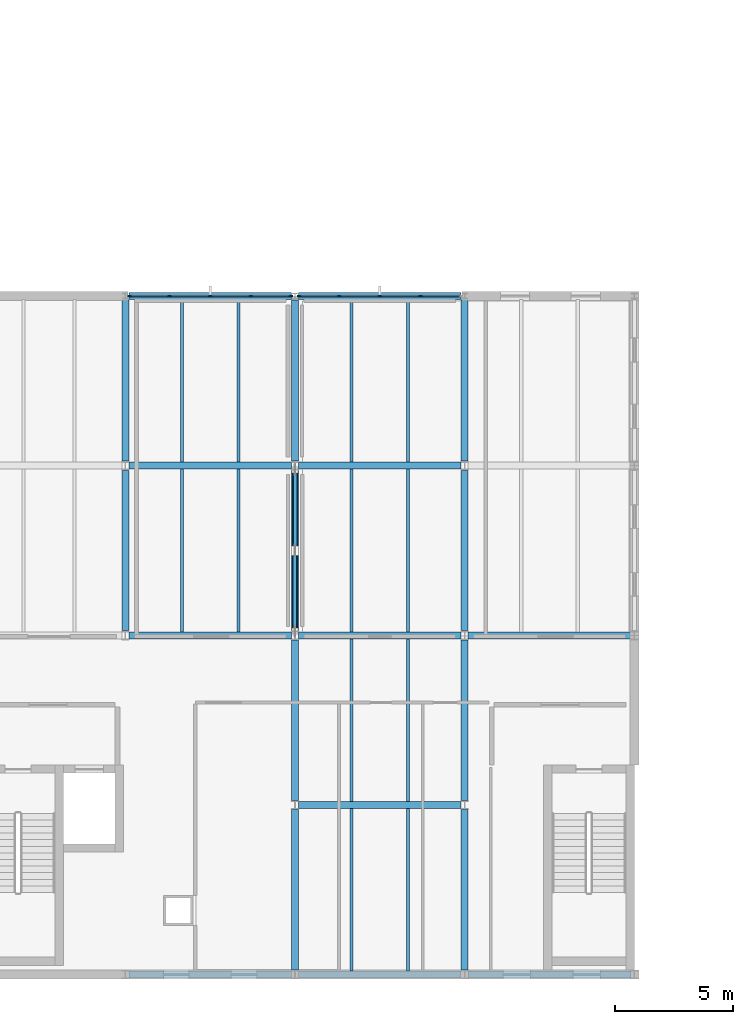
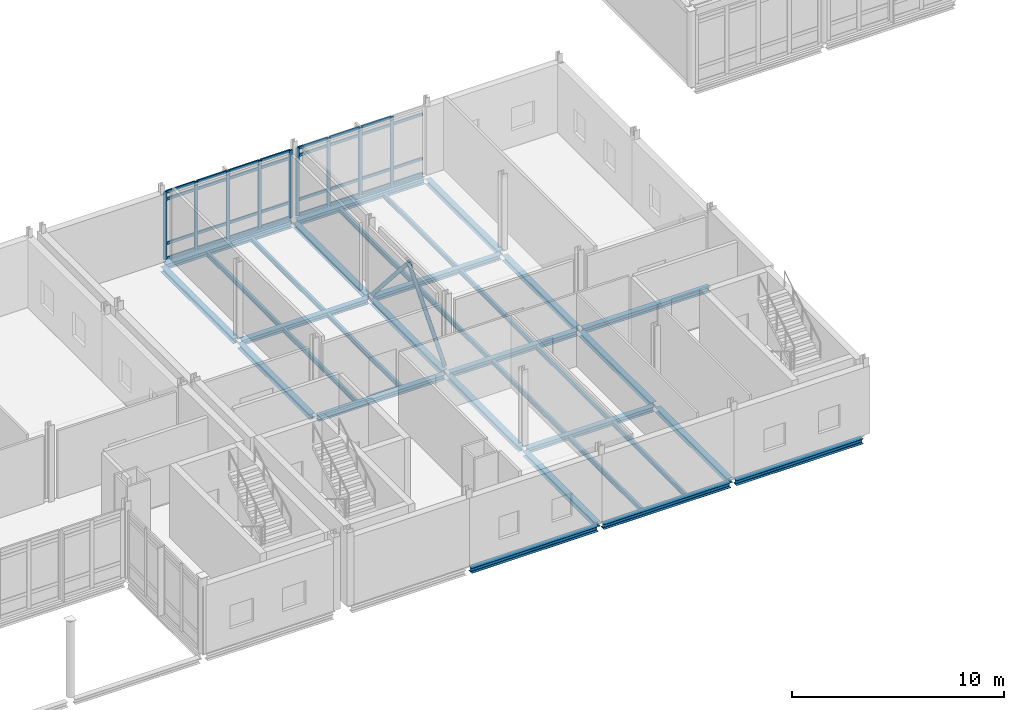
# One storey, part 22 of 72: 42 members, 33 beams, 2 elements without a shape of their own.
"""IFC4 building model written with IfcOpenShell, lengths in metres."""

import ifcopenshell
import ifcopenshell.guid

model = None  # the IFC model being written
_history = None  # IfcOwnerHistory: only IFC2X3 demands one
_inside = {}  # id of a spatial element -> (the spatial element, [elements in it])
_under = {}  # id of a project, library or spatial element -> (it, [spatial elements below it])
_declared = {}  # id of a project -> (the project, [libraries it declares])
_typed = {}  # id of a type object -> (the type object, [elements of that type])
_made_of = {}  # id of a material, layer set ... -> (it, [elements and type objects made of it])


def new_model(schema):
    """Start an empty IFC model of exactly this schema.

    Asked for "IFC4X3", IfcOpenShell would pick the latest addendum, in which some entities
    have other attributes; the version numbers below select the first issue.
    IFC2X3 requires an IfcOwnerHistory on every rooted entity: one is made here for all.
    """
    global model, _history
    if schema == "IFC4X3":
        model = ifcopenshell.file(schema_version=(4, 3, 0, 0))
    else:
        model = ifcopenshell.file(schema=schema)
    _inside.clear()
    _under.clear()
    _declared.clear()
    _typed.clear()
    _made_of.clear()
    _history = None
    if model.schema == "IFC2X3":
        org = make("IfcOrganization", Name="unknown")
        user = make(
            "IfcPersonAndOrganization",
            ThePerson=make("IfcPerson", FamilyName="unknown"),
            TheOrganization=org,
        )
        app = make(
            "IfcApplication",
            ApplicationDeveloper=org,
            Version="unknown",
            ApplicationFullName="unknown",
            ApplicationIdentifier="unknown",
        )
        _history = make(
            "IfcOwnerHistory",
            OwningUser=user,
            OwningApplication=app,
            ChangeAction="ADDED",
            CreationDate=0,
        )
    return model


def make(cls, **values):
    """One entity of the class cls with the attributes given. An attribute that is None is left unset."""
    return model.create_entity(
        cls, **{name: value for name, value in values.items() if value is not None}
    )


def rooted(cls, **values):
    """An entity with a GlobalId (a new one), such as an element, a storey or a relation."""
    return make(cls, GlobalId=ifcopenshell.guid.new(), OwnerHistory=_history, **values)


def si_unit(unit_type, name, prefix=None):
    """IfcSIUnit, for example si_unit("LENGTHUNIT", "METRE", prefix="MILLI")."""
    return make("IfcSIUnit", UnitType=unit_type, Prefix=prefix, Name=name)


def assignment(units):
    """IfcUnitAssignment: the units of a project."""
    return None if units is None else make("IfcUnitAssignment", Units=units)


def point(xyz):
    """IfcCartesianPoint."""
    return None if xyz is None else make("IfcCartesianPoint", Coordinates=xyz)


def direction(xyz):
    """IfcDirection."""
    return None if xyz is None else make("IfcDirection", DirectionRatios=xyz)


def frame(location, z_axis=None, x_axis=None):
    """IfcAxis2Placement3D, a coordinate frame: its origin and axes. An axis left out is left unset."""
    return make(
        "IfcAxis2Placement3D",
        Location=point(location),
        Axis=direction(z_axis),
        RefDirection=direction(x_axis),
    )


def frame_2d(location, x_axis=None):
    """IfcAxis2Placement2D, a coordinate frame in the plane: its origin and x axis."""
    return make(
        "IfcAxis2Placement2D", Location=point(location), RefDirection=direction(x_axis)
    )


def origin():
    """The frame at (0, 0, 0) with its axes left unset."""
    return frame((0.0, 0.0, 0.0))


def origin_2d():
    """The frame at (0, 0) in the plane with its x axis left unset."""
    return frame_2d((0.0, 0.0))


def place(relative_to, where):
    """IfcLocalPlacement: puts the frame where relative to a parent placement (None: the world)."""
    return make(
        "IfcLocalPlacement", PlacementRelTo=relative_to, RelativePlacement=where
    )


def context(
    kind, dimensions, precision=None, world=None, true_north=None, identifier=None
):
    """IfcGeometricRepresentationContext, for example the 3D "Model" context."""
    return make(
        "IfcGeometricRepresentationContext",
        ContextIdentifier=identifier,
        ContextType=kind,
        CoordinateSpaceDimension=dimensions,
        Precision=precision,
        WorldCoordinateSystem=world,
        TrueNorth=true_north,
    )


def subcontext(parent, identifier, kind, view, scale=None):
    """IfcGeometricRepresentationSubContext, for example "Body" below "Model"."""
    return make(
        "IfcGeometricRepresentationSubContext",
        ContextIdentifier=identifier,
        ContextType=kind,
        ParentContext=parent,
        TargetScale=scale,
        TargetView=view,
    )


def project(units=None, contexts=None):
    """IfcProject with its units and contexts."""
    return rooted(
        "IfcProject",
        Name="project",
        RepresentationContexts=contexts,
        UnitsInContext=assignment(units),
    )


def spatial(cls, under=None, at=None, **own):
    """A site, building, storey or space (cls), placed at a placement, below another one or the project."""
    s = rooted(cls, ObjectPlacement=at, **own)
    if under is not None:
        _under.setdefault(under.id(), (under, []))[1].append(s)
    return s


def profile(cls, at=None, kind="AREA", **sizes):
    """A parametric profile (cls). Its sizes go by their IFC names, for example OverallWidth=200.0."""
    return make(cls, ProfileType=kind, Position=at, **sizes)


def rectangle(**sizes):
    """IfcRectangleProfileDef."""
    return profile("IfcRectangleProfileDef", **sizes)


def hollow_circle(**sizes):
    """IfcCircleHollowProfileDef."""
    return profile("IfcCircleHollowProfileDef", **sizes)


def i_section(**sizes):
    """IfcIShapeProfileDef."""
    return profile("IfcIShapeProfileDef", **sizes)


def extrude(swept, where, along, depth):
    """IfcExtrudedAreaSolid: the profile swept, set in the frame where, extruded along a direction by depth."""
    return make(
        "IfcExtrudedAreaSolid",
        SweptArea=swept,
        Position=where,
        ExtrudedDirection=direction(along),
        Depth=depth,
    )


def shape(context_of_items, identifier, shape_type, items):
    """IfcShapeRepresentation: the items that make up one representation, for example the "Body"."""
    return make(
        "IfcShapeRepresentation",
        ContextOfItems=context_of_items,
        RepresentationIdentifier=identifier,
        RepresentationType=shape_type,
        Items=items,
    )


def material(Name=None, Category=None):
    """IfcMaterial."""
    return make("IfcMaterial", Name=Name, Category=Category)


def layer(
    of_material, thickness, ventilated=None, Name=None, Category=None, Priority=None
):
    """IfcMaterialLayer: one layer of a wall or slab, of a material (None: an air gap)."""
    return make(
        "IfcMaterialLayer",
        Material=of_material,
        LayerThickness=thickness,
        IsVentilated=ventilated,
        Name=Name,
        Category=Category,
        Priority=Priority,
    )


def layer_set(layers, Name=None):
    """IfcMaterialLayerSet."""
    return make("IfcMaterialLayerSet", MaterialLayers=layers, LayerSetName=Name)


def material_profile(
    of_material, cross_section, Name=None, Category=None, Priority=None
):
    """IfcMaterialProfile: a cross section and its material."""
    return make(
        "IfcMaterialProfile",
        Name=Name,
        Material=of_material,
        Profile=cross_section,
        Priority=Priority,
        Category=Category,
    )


def profile_set(profiles, Name=None, composite=None):
    """IfcMaterialProfileSet."""
    return make(
        "IfcMaterialProfileSet",
        Name=Name,
        MaterialProfiles=profiles,
        CompositeProfile=composite,
    )


def made_of(thing, what):
    """Note that an element or type object is made of a material, layer set ...; save() writes the relation."""
    if what is not None:
        _made_of.setdefault(what.id(), (what, []))[1].append(thing)
    return thing


def type_object(cls, material=None, **own):
    """A type object (cls), such as IfcWallType, which elements share."""
    return made_of(rooted(cls, **own), material)


def element(
    cls,
    number,
    at=None,
    inside=None,
    cuts=None,
    type_object=None,
    material=None,
    context=None,
    identifier="Body",
    shape_type=None,
    held_by="IfcProductDefinitionShape",
    body=None,
    shapes=None,
    **own,
):
    """One element of the class cls, such as IfcWall. Its Tag is "e" and its number.

    at: its placement. inside: the storey or other place that contains it. cuts: it is an
    opening in that element (IfcRelVoidsElement). A single representation is given by context,
    identifier, shape_type and body (its items); several are given by shapes. held_by: the class
    of the entity that holds the representations. save() writes the other relations.
    """
    e = rooted(cls, Tag="e%d" % number, ObjectPlacement=at, **own)
    if body is not None:
        shapes = [shape(context, identifier, shape_type, body)]
    if shapes is not None:
        e.Representation = make(held_by, Representations=shapes)
    if inside is not None:
        _inside.setdefault(inside.id(), (inside, []))[1].append(e)
    if cuts is not None:
        rooted(
            "IfcRelVoidsElement", RelatingBuildingElement=cuts, RelatedOpeningElement=e
        )
    if type_object is not None:
        _typed.setdefault(type_object.id(), (type_object, []))[1].append(e)
    return made_of(e, material)


def aggregate(whole, parts):
    """IfcRelAggregates: a whole, such as a stair, and the parts it consists of."""
    return rooted("IfcRelAggregates", RelatingObject=whole, RelatedObjects=parts)


def save(model, path):
    """Write the relations noted so far, then the file.

    IfcRelAggregates (storeys below a building ...), IfcRelContainedInSpatialStructure (elements
    in a storey), IfcRelDefinesByType, IfcRelAssociatesMaterial and IfcRelDeclares: one each for
    every whole, place, type object, material and project.
    """
    for whole, parts in _under.values():
        aggregate(whole, parts)
    for where, things in _inside.values():
        rooted(
            "IfcRelContainedInSpatialStructure",
            RelatedElements=things,
            RelatingStructure=where,
        )
    for kind, things in _typed.values():
        rooted("IfcRelDefinesByType", RelatedObjects=things, RelatingType=kind)
    for what, things in _made_of.values():
        rooted("IfcRelAssociatesMaterial", RelatedObjects=things, RelatingMaterial=what)
    for by, libraries in _declared.values():
        rooted("IfcRelDeclares", RelatingContext=by, RelatedDefinitions=libraries)
    model.write(path)


model = new_model("IFC4")

# Units and contexts
model_context = context("Model", 3, precision=1e-05, world=origin(), true_north=direction((0.0, 1.0)))
body_context = subcontext(model_context, "Body", "Model", "MODEL_VIEW")
ifc_project = project(units=[si_unit("LENGTHUNIT", "METRE"), si_unit("AREAUNIT", "SQUARE_METRE"), si_unit("VOLUMEUNIT", "CUBIC_METRE"), si_unit("PLANEANGLEUNIT", "RADIAN"), si_unit("MASSUNIT", "GRAM", prefix="KILO")], contexts=[model_context])

# Site, building, storey
site_placement = place(None, origin())
site = spatial("IfcSite", under=ifc_project, at=site_placement, CompositionType="ELEMENT")
building_placement = place(site_placement, origin())
building = spatial("IfcBuilding", under=site, at=building_placement, Name="Zarrinpeak Specialist Clinic", CompositionType="ELEMENT")
storey_placement = place(building_placement, frame((0.0, 0.0, 9.60009765625)))
storey = spatial("IfcBuildingStorey", under=building, at=storey_placement, Name="L02", CompositionType="ELEMENT", Elevation=9.60009765625)

# Beams
ifc_material_1 = material(Name="Steel S355", Category="steel")
ifc_material_profile_1 = material_profile(ifc_material_1, i_section(OverallWidth=0.300048828125, OverallDepth=0.2900390625, WebThickness=0.008544921875, FlangeThickness=0.013916015625, FilletRadius=0.027099609375, at=origin_2d()), Name="HEA 300")
ifc_profile_set_1 = profile_set([ifc_material_profile_1], Name="Steel S355")
beam_type_1 = type_object("IfcBeamType", Name="BM-HEA300", PredefinedType="BEAM", material=ifc_profile_set_1)
for number, where, z_axis, x_axis, name in (
    (1, (64.947998046875, 0.0, -0.360107421875), (1.0, 0.0, 0.0), (0.0, 1.0, 0.0), "L02 Primary Floor Girder BM-L02-X1117"),
    (2, (72.14794921875, 0.0, -0.360107421875), (1.0, 0.0, 0.0), (0.0, 1.0, 0.0), "L02 Primary Floor Girder BM-L02-X1118"),
    (3, (79.347900390625, 0.0, -0.360107421875), (1.0, 0.0, 0.0), (0.0, 1.0, 0.0), "L02 Primary Floor Girder BM-L02-X1119"),
    (4, (72.14794921875, 7.199951171875, -0.360107421875), (1.0, 0.0, 0.0), (0.0, 1.0, 0.0), "L02 Primary Floor Girder BM-L02-X1124"),
    (5, (64.947998046875, 14.39990234375, -0.360107421875), (1.0, 0.0, 0.0), (0.0, 1.0, 0.0), "L02 Primary Floor Girder BM-L02-X1132"),
    (6, (72.14794921875, 14.39990234375, -0.360107421875), (1.0, 0.0, 0.0), (0.0, 1.0, 0.0), "L02 Primary Floor Girder BM-L02-X1133"),
    (7, (79.347900390625, 14.39990234375, -0.360107421875), (1.0, 0.0, 0.0), (0.0, 1.0, 0.0), "L02 Primary Floor Girder BM-L02-X1134"),
    (8, (64.947998046875, 21.60009765625, -0.360107421875), (1.0, 0.0, 0.0), (0.0, 1.0, 0.0), "L02 Primary Floor Girder BM-L02-X1144"),
    (9, (72.14794921875, 21.60009765625, -0.360107421875), (1.0, 0.0, 0.0), (0.0, 1.0, 0.0), "L02 Primary Floor Girder BM-L02-X1145"),
    (10, (64.947998046875, 28.800048828125, -0.360107421875), (1.0, 0.0, 0.0), (0.0, 1.0, 0.0), "L02 Primary Floor Girder BM-L02-X1156"),
    (11, (72.14794921875, 28.800048828125, -0.360107421875), (1.0, 0.0, 0.0), (0.0, 1.0, 0.0), "L02 Primary Floor Girder BM-L02-X1157"),
):
    element("IfcBeam", number, at=place(storey_placement, frame(where, z_axis=z_axis, x_axis=x_axis)), inside=storey, type_object=beam_type_1, Name=name, PredefinedType="BEAM", context=body_context, shape_type="SweptSolid", body=[
        extrude(i_section(OverallWidth=0.300048828125, OverallDepth=0.2900390625, WebThickness=0.008544921875, FlangeThickness=0.013916015625, FilletRadius=0.027099609375, at=origin_2d()), origin(), (0.0, 0.0, 1.0), 6.904052734375),
    ])
beam_1_placement = place(storey_placement, frame((64.800048828125, 14.597900390625, -0.360107421875), z_axis=(0.0, 1.0, 0.0), x_axis=(-1.0, 0.0, 0.0)))
element("IfcBeam", 12, at=beam_1_placement, inside=storey, type_object=beam_type_1, Name="L02 Primary Beam BM-L02-Y1308", PredefinedType="BEAM", context=body_context, shape_type="SweptSolid", body=[
    extrude(i_section(OverallWidth=0.300048828125, OverallDepth=0.2900390625, WebThickness=0.008544921875, FlangeThickness=0.013916015625, FilletRadius=0.027099609375, at=origin_2d()), origin(), (0.0, 0.0, 1.0), 6.80419921875),
])
beam_2_placement = place(storey_placement, frame((64.800048828125, 21.798095703125, -0.360107421875), z_axis=(0.0, 1.0, 0.0), x_axis=(-1.0, 0.0, 0.0)))
element("IfcBeam", 13, at=beam_2_placement, inside=storey, type_object=beam_type_1, Name="L02 Primary Beam BM-L02-Y1309", PredefinedType="BEAM", context=body_context, shape_type="SweptSolid", body=[
    extrude(i_section(OverallWidth=0.300048828125, OverallDepth=0.2900390625, WebThickness=0.008544921875, FlangeThickness=0.013916015625, FilletRadius=0.027099609375, at=origin_2d()), origin(), (0.0, 0.0, 1.0), 6.843994140625),
])
for number, where, z_axis, x_axis, name in (
    (14, (72.0, 0.197998046875, -0.360107421875), (0.0, 1.0, 0.0), (-1.0, 0.0, 0.0), "L02 Primary Beam BM-L02-Y1313"),
    (15, (72.0, 7.39794921875, -0.360107421875), (0.0, 1.0, 0.0), (-1.0, 0.0, 0.0), "L02 Primary Beam BM-L02-Y1314"),
):
    element("IfcBeam", number, at=place(storey_placement, frame(where, z_axis=z_axis, x_axis=x_axis)), inside=storey, type_object=beam_type_1, Name=name, PredefinedType="BEAM", context=body_context, shape_type="SweptSolid", body=[
        extrude(i_section(OverallWidth=0.300048828125, OverallDepth=0.2900390625, WebThickness=0.008544921875, FlangeThickness=0.013916015625, FilletRadius=0.027099609375, at=origin_2d()), origin(), (0.0, 0.0, 1.0), 6.803955078125),
    ])
beam_3_placement = place(storey_placement, frame((72.0, 14.597900390625, -0.360107421875), z_axis=(0.0, 1.0, 0.0), x_axis=(-1.0, 0.0, 0.0)))
element("IfcBeam", 16, at=beam_3_placement, inside=storey, type_object=beam_type_1, Name="L02 Primary Beam BM-L02-Y1315", PredefinedType="BEAM", context=body_context, shape_type="SweptSolid", body=[
    extrude(i_section(OverallWidth=0.300048828125, OverallDepth=0.2900390625, WebThickness=0.008544921875, FlangeThickness=0.013916015625, FilletRadius=0.027099609375, at=origin_2d()), origin(), (0.0, 0.0, 1.0), 6.80419921875),
])
beam_4_placement = place(storey_placement, frame((72.0, 21.798095703125, -0.360107421875), z_axis=(0.0, 1.0, 0.0), x_axis=(-1.0, 0.0, 0.0)))
element("IfcBeam", 17, at=beam_4_placement, inside=storey, type_object=beam_type_1, Name="L02 Primary Beam BM-L02-Y1316", PredefinedType="BEAM", context=body_context, shape_type="SweptSolid", body=[
    extrude(i_section(OverallWidth=0.300048828125, OverallDepth=0.2900390625, WebThickness=0.008544921875, FlangeThickness=0.013916015625, FilletRadius=0.027099609375, at=origin_2d()), origin(), (0.0, 0.0, 1.0), 6.843994140625),
])
for number, where, z_axis, x_axis, name in (
    (18, (79.199951171875, 0.197998046875, -0.360107421875), (0.0, 1.0, 0.0), (-1.0, 0.0, 0.0), "L02 Primary Beam BM-L02-Y1317"),
    (19, (79.199951171875, 7.39794921875, -0.360107421875), (0.0, 1.0, 0.0), (-1.0, 0.0, 0.0), "L02 Primary Beam BM-L02-Y1318"),
):
    element("IfcBeam", number, at=place(storey_placement, frame(where, z_axis=z_axis, x_axis=x_axis)), inside=storey, type_object=beam_type_1, Name=name, PredefinedType="BEAM", context=body_context, shape_type="SweptSolid", body=[
        extrude(i_section(OverallWidth=0.300048828125, OverallDepth=0.2900390625, WebThickness=0.008544921875, FlangeThickness=0.013916015625, FilletRadius=0.027099609375, at=origin_2d()), origin(), (0.0, 0.0, 1.0), 6.803955078125),
    ])
beam_5_placement = place(storey_placement, frame((79.199951171875, 14.597900390625, -0.360107421875), z_axis=(0.0, 1.0, 0.0), x_axis=(-1.0, 0.0, 0.0)))
element("IfcBeam", 20, at=beam_5_placement, inside=storey, type_object=beam_type_1, Name="L02 Primary Beam BM-L02-Y1319", PredefinedType="BEAM", context=body_context, shape_type="SweptSolid", body=[
    extrude(i_section(OverallWidth=0.300048828125, OverallDepth=0.2900390625, WebThickness=0.008544921875, FlangeThickness=0.013916015625, FilletRadius=0.027099609375, at=origin_2d()), origin(), (0.0, 0.0, 1.0), 6.80419921875),
])
beam_6_placement = place(storey_placement, frame((79.199951171875, 21.798095703125, -0.360107421875), z_axis=(0.0, 1.0, 0.0), x_axis=(-1.0, 0.0, 0.0)))
element("IfcBeam", 21, at=beam_6_placement, inside=storey, type_object=beam_type_1, Name="L02 Primary Beam BM-L02-Y1320", PredefinedType="BEAM", context=body_context, shape_type="SweptSolid", body=[
    extrude(i_section(OverallWidth=0.300048828125, OverallDepth=0.2900390625, WebThickness=0.008544921875, FlangeThickness=0.013916015625, FilletRadius=0.027099609375, at=origin_2d()), origin(), (0.0, 0.0, 1.0), 6.843994140625),
])
ifc_material_profile_2 = material_profile(ifc_material_1, i_section(OverallWidth=0.135009765625, OverallDepth=0.27001953125, WebThickness=0.006591796875, FlangeThickness=0.01025390625, FilletRadius=0.014892578125, at=origin_2d()), Name="IPE 270")
ifc_profile_set_2 = profile_set([ifc_material_profile_2], Name="Steel S355")
beam_type_2 = type_object("IfcBeamType", Name="BM-JST270", PredefinedType="JOIST", material=ifc_profile_set_2)
for number, where, z_axis, x_axis, name in (
    (22, (67.199951171875, 14.548095703125, -0.35009765625), (0.0, 1.0, 0.0), (-1.0, 0.0, 0.0), "L02 Composite Floor Joist JST-L02-1399"),
    (23, (69.60009765625, 14.548095703125, -0.35009765625), (0.0, 1.0, 0.0), (-1.0, 0.0, 0.0), "L02 Composite Floor Joist JST-L02-1400"),
):
    element("IfcBeam", number, at=place(storey_placement, frame(where, z_axis=z_axis, x_axis=x_axis)), inside=storey, type_object=beam_type_2, Name=name, PredefinedType="JOIST", context=body_context, shape_type="SweptSolid", body=[
        extrude(i_section(OverallWidth=0.135009765625, OverallDepth=0.27001953125, WebThickness=0.006591796875, FlangeThickness=0.01025390625, FilletRadius=0.014892578125, at=origin_2d()), origin(), (0.0, 0.0, 1.0), 6.90380859375),
    ])
for number, where, z_axis, x_axis, name in (
    (24, (67.199951171875, 21.748046875, -0.35009765625), (0.0, 1.0, 0.0), (-1.0, 0.0, 0.0), "L02 Composite Floor Joist JST-L02-1401"),
    (25, (69.60009765625, 21.748046875, -0.35009765625), (0.0, 1.0, 0.0), (-1.0, 0.0, 0.0), "L02 Composite Floor Joist JST-L02-1402"),
    (26, (74.39990234375, 0.14794921875, -0.35009765625), (0.0, 1.0, 0.0), (-1.0, 0.0, 0.0), "L02 Composite Floor Joist JST-L02-1403"),
    (27, (76.800048828125, 0.14794921875, -0.35009765625), (0.0, 1.0, 0.0), (-1.0, 0.0, 0.0), "L02 Composite Floor Joist JST-L02-1404"),
    (28, (74.39990234375, 7.347900390625, -0.35009765625), (0.0, 1.0, 0.0), (-1.0, 0.0, 0.0), "L02 Composite Floor Joist JST-L02-1405"),
    (29, (76.800048828125, 7.347900390625, -0.35009765625), (0.0, 1.0, 0.0), (-1.0, 0.0, 0.0), "L02 Composite Floor Joist JST-L02-1406"),
):
    element("IfcBeam", number, at=place(storey_placement, frame(where, z_axis=z_axis, x_axis=x_axis)), inside=storey, type_object=beam_type_2, Name=name, PredefinedType="JOIST", context=body_context, shape_type="SweptSolid", body=[
        extrude(i_section(OverallWidth=0.135009765625, OverallDepth=0.27001953125, WebThickness=0.006591796875, FlangeThickness=0.01025390625, FilletRadius=0.014892578125, at=origin_2d()), origin(), (0.0, 0.0, 1.0), 6.904052734375),
    ])
for number, where, z_axis, x_axis, name in (
    (30, (74.39990234375, 14.548095703125, -0.35009765625), (0.0, 1.0, 0.0), (-1.0, 0.0, 0.0), "L02 Composite Floor Joist JST-L02-1407"),
    (31, (76.800048828125, 14.548095703125, -0.35009765625), (0.0, 1.0, 0.0), (-1.0, 0.0, 0.0), "L02 Composite Floor Joist JST-L02-1408"),
):
    element("IfcBeam", number, at=place(storey_placement, frame(where, z_axis=z_axis, x_axis=x_axis)), inside=storey, type_object=beam_type_2, Name=name, PredefinedType="JOIST", context=body_context, shape_type="SweptSolid", body=[
        extrude(i_section(OverallWidth=0.135009765625, OverallDepth=0.27001953125, WebThickness=0.006591796875, FlangeThickness=0.01025390625, FilletRadius=0.014892578125, at=origin_2d()), origin(), (0.0, 0.0, 1.0), 6.90380859375),
    ])
for number, where, z_axis, x_axis, name in (
    (32, (74.39990234375, 21.748046875, -0.35009765625), (0.0, 1.0, 0.0), (-1.0, 0.0, 0.0), "L02 Composite Floor Joist JST-L02-1409"),
    (33, (76.800048828125, 21.748046875, -0.35009765625), (0.0, 1.0, 0.0), (-1.0, 0.0, 0.0), "L02 Composite Floor Joist JST-L02-1410"),
):
    element("IfcBeam", number, at=place(storey_placement, frame(where, z_axis=z_axis, x_axis=x_axis)), inside=storey, type_object=beam_type_2, Name=name, PredefinedType="JOIST", context=body_context, shape_type="SweptSolid", body=[
        extrude(i_section(OverallWidth=0.135009765625, OverallDepth=0.27001953125, WebThickness=0.006591796875, FlangeThickness=0.01025390625, FilletRadius=0.014892578125, at=origin_2d()), origin(), (0.0, 0.0, 1.0), 6.904052734375),
    ])

# Curtain wall, members
ifc_material_2 = material(Name="Anodised Aluminium Alloy 6063-T6", Category="aluminium")
ifc_layer = layer(ifc_material_2, 0.179931640625)
ifc_layer_set = layer_set([ifc_layer], Name="Anodised Aluminium Alloy 6063-T6")
curtain_wall_type = type_object("IfcCurtainWallType", Name="CW-COURT", PredefinedType="NOTDEFINED", material=ifc_layer_set)
curtain_wall_1_placement = place(storey_placement, origin())
curtain_wall_1 = element("IfcCurtainWall", 34, at=curtain_wall_1_placement, inside=storey, type_object=curtain_wall_type, Name="L02 V4 Unitised Curtain Wall CW-L02-V4-073", PredefinedType="NOTDEFINED")
ifc_material_profile_3 = material_profile(ifc_material_2, rectangle(XDim=0.074951171875, YDim=0.179931640625, at=origin_2d()), Name="ALU 75x180")
ifc_profile_set_3 = profile_set([ifc_material_profile_3], Name="Anodised Aluminium Alloy 6063-T6")
member_type_1 = type_object("IfcMemberType", Name="CWM-75", PredefinedType="MULLION", material=ifc_profile_set_3)
member_1_placement = place(storey_placement, frame((71.8173828125, 28.800048828125, 0.0), z_axis=(0.0, 0.0, 1.0), x_axis=(0.0, -1.0, 0.0)))
member_1 = element("IfcMember", 35, at=member_1_placement, type_object=member_type_1, Name="CW-01 mullion 1", PredefinedType="MULLION", context=body_context, shape_type="SweptSolid", body=[
    extrude(rectangle(XDim=0.074951171875, YDim=0.179931640625, at=origin_2d()), origin(), (0.0, 0.0, 1.0), 3.89990234375),
])
member_2_placement = place(storey_placement, frame((70.12744140625, 28.800048828125, 0.0), z_axis=(0.0, 0.0, 1.0), x_axis=(0.0, -1.0, 0.0)))
member_2 = element("IfcMember", 36, at=member_2_placement, type_object=member_type_1, Name="CW-01 mullion 2", PredefinedType="MULLION", context=body_context, shape_type="SweptSolid", body=[
    extrude(rectangle(XDim=0.074951171875, YDim=0.179931640625, at=origin_2d()), origin(), (0.0, 0.0, 1.0), 3.89990234375),
])
member_3_placement = place(storey_placement, frame((68.39990234375, 28.800048828125, 0.0), z_axis=(0.0, 0.0, 1.0), x_axis=(0.0, -1.0, 0.0)))
member_3 = element("IfcMember", 37, at=member_3_placement, type_object=member_type_1, Name="CW-01 mullion 3", PredefinedType="MULLION", context=body_context, shape_type="SweptSolid", body=[
    extrude(rectangle(XDim=0.074951171875, YDim=0.179931640625, at=origin_2d()), origin(), (0.0, 0.0, 1.0), 3.89990234375),
])
member_4_placement = place(storey_placement, frame((66.672607421875, 28.800048828125, 0.0), z_axis=(0.0, 0.0, 1.0), x_axis=(0.0, -1.0, 0.0)))
member_4 = element("IfcMember", 38, at=member_4_placement, type_object=member_type_1, Name="CW-01 mullion 4", PredefinedType="MULLION", context=body_context, shape_type="SweptSolid", body=[
    extrude(rectangle(XDim=0.074951171875, YDim=0.179931640625, at=origin_2d()), origin(), (0.0, 0.0, 1.0), 3.89990234375),
])
member_5_placement = place(storey_placement, frame((64.982421875, 28.800048828125, 0.0), z_axis=(0.0, 0.0, 1.0), x_axis=(0.0, -1.0, 0.0)))
member_5 = element("IfcMember", 39, at=member_5_placement, type_object=member_type_1, Name="CW-01 mullion 5", PredefinedType="MULLION", context=body_context, shape_type="SweptSolid", body=[
    extrude(rectangle(XDim=0.074951171875, YDim=0.179931640625, at=origin_2d()), origin(), (0.0, 0.0, 1.0), 3.89990234375),
])

curtain_wall_2_placement = place(storey_placement, origin())
curtain_wall_2 = element("IfcCurtainWall", 40, at=curtain_wall_2_placement, inside=storey, type_object=curtain_wall_type, Name="L02 V4 Unitised Curtain Wall CW-L02-V4-074", PredefinedType="NOTDEFINED")
member_6_placement = place(storey_placement, frame((77.327392578125, 28.800048828125, 0.0), z_axis=(0.0, 0.0, 1.0), x_axis=(0.0, -1.0, 0.0)))
member_6 = element("IfcMember", 41, at=member_6_placement, type_object=member_type_1, Name="CW-01 mullion 2", PredefinedType="MULLION", context=body_context, shape_type="SweptSolid", body=[
    extrude(rectangle(XDim=0.074951171875, YDim=0.179931640625, at=origin_2d()), origin(), (0.0, 0.0, 1.0), 3.89990234375),
])
member_7_placement = place(storey_placement, frame((75.60009765625, 28.800048828125, 0.0), z_axis=(0.0, 0.0, 1.0), x_axis=(0.0, -1.0, 0.0)))
member_7 = element("IfcMember", 42, at=member_7_placement, type_object=member_type_1, Name="CW-01 mullion 3", PredefinedType="MULLION", context=body_context, shape_type="SweptSolid", body=[
    extrude(rectangle(XDim=0.074951171875, YDim=0.179931640625, at=origin_2d()), origin(), (0.0, 0.0, 1.0), 3.89990234375),
])
member_8_placement = place(storey_placement, frame((73.87255859375, 28.800048828125, 0.0), z_axis=(0.0, 0.0, 1.0), x_axis=(0.0, -1.0, 0.0)))
member_8 = element("IfcMember", 43, at=member_8_placement, type_object=member_type_1, Name="CW-01 mullion 4", PredefinedType="MULLION", context=body_context, shape_type="SweptSolid", body=[
    extrude(rectangle(XDim=0.074951171875, YDim=0.179931640625, at=origin_2d()), origin(), (0.0, 0.0, 1.0), 3.89990234375),
])
member_9_placement = place(storey_placement, frame((72.1826171875, 28.800048828125, 0.0), z_axis=(0.0, 0.0, 1.0), x_axis=(0.0, -1.0, 0.0)))
member_9 = element("IfcMember", 44, at=member_9_placement, type_object=member_type_1, Name="CW-01 mullion 5", PredefinedType="MULLION", context=body_context, shape_type="SweptSolid", body=[
    extrude(rectangle(XDim=0.074951171875, YDim=0.179931640625, at=origin_2d()), origin(), (0.0, 0.0, 1.0), 3.89990234375),
])

# Member
ifc_material_profile_4 = material_profile(ifc_material_2, rectangle(XDim=0.074951171875, YDim=0.159912109375, at=origin_2d()), Name="ALU 75x160")
ifc_profile_set_4 = profile_set([ifc_material_profile_4], Name="Anodised Aluminium Alloy 6063-T6")
member_type_2 = type_object("IfcMemberType", Name="CWT-75", PredefinedType="USERDEFINED", material=ifc_profile_set_4)
member_10_placement = place(storey_placement, frame((71.780029296875, 28.800048828125, 0.037353515625), z_axis=(-1.0, 0.0, 0.0), x_axis=(0.0, -1.0, 0.0)))
member_10 = element("IfcMember", 45, at=member_10_placement, type_object=member_type_2, Name="CW-01 transom 1.1", ObjectType="TRANSOM", PredefinedType="USERDEFINED", context=body_context, shape_type="SweptSolid", body=[
    extrude(rectangle(XDim=0.074951171875, YDim=0.159912109375, at=origin_2d()), origin(), (0.0, 0.0, 1.0), 1.614990234375),
])

member_11_placement = place(storey_placement, frame((71.780029296875, 28.800048828125, 0.89990234375), z_axis=(-1.0, 0.0, 0.0), x_axis=(0.0, -1.0, 0.0)))
member_11 = element("IfcMember", 46, at=member_11_placement, type_object=member_type_2, Name="CW-01 transom 1.2", ObjectType="TRANSOM", PredefinedType="USERDEFINED", context=body_context, shape_type="SweptSolid", body=[
    extrude(rectangle(XDim=0.074951171875, YDim=0.159912109375, at=origin_2d()), origin(), (0.0, 0.0, 1.0), 1.614990234375),
])

member_12_placement = place(storey_placement, frame((71.780029296875, 28.800048828125, 3.449951171875), z_axis=(-1.0, 0.0, 0.0), x_axis=(0.0, -1.0, 0.0)))
member_12 = element("IfcMember", 47, at=member_12_placement, type_object=member_type_2, Name="CW-01 transom 1.3", ObjectType="TRANSOM", PredefinedType="USERDEFINED", context=body_context, shape_type="SweptSolid", body=[
    extrude(rectangle(XDim=0.074951171875, YDim=0.159912109375, at=origin_2d()), origin(), (0.0, 0.0, 1.0), 1.614990234375),
])

member_13_placement = place(storey_placement, frame((71.780029296875, 28.800048828125, 3.8623046875), z_axis=(-1.0, 0.0, 0.0), x_axis=(0.0, -1.0, 0.0)))
member_13 = element("IfcMember", 48, at=member_13_placement, type_object=member_type_2, Name="CW-01 transom 1.4", ObjectType="TRANSOM", PredefinedType="USERDEFINED", context=body_context, shape_type="SweptSolid", body=[
    extrude(rectangle(XDim=0.074951171875, YDim=0.159912109375, at=origin_2d()), origin(), (0.0, 0.0, 1.0), 1.614990234375),
])

member_14_placement = place(storey_placement, frame((70.090087890625, 28.800048828125, 0.037353515625), z_axis=(-1.0, 0.0, 0.0), x_axis=(0.0, -1.0, 0.0)))
member_14 = element("IfcMember", 49, at=member_14_placement, type_object=member_type_2, Name="CW-01 transom 2.1", ObjectType="TRANSOM", PredefinedType="USERDEFINED", context=body_context, shape_type="SweptSolid", body=[
    extrude(rectangle(XDim=0.074951171875, YDim=0.159912109375, at=origin_2d()), origin(), (0.0, 0.0, 1.0), 1.652587890625),
])

member_15_placement = place(storey_placement, frame((70.090087890625, 28.800048828125, 0.89990234375), z_axis=(-1.0, 0.0, 0.0), x_axis=(0.0, -1.0, 0.0)))
member_15 = element("IfcMember", 50, at=member_15_placement, type_object=member_type_2, Name="CW-01 transom 2.2", ObjectType="TRANSOM", PredefinedType="USERDEFINED", context=body_context, shape_type="SweptSolid", body=[
    extrude(rectangle(XDim=0.074951171875, YDim=0.159912109375, at=origin_2d()), origin(), (0.0, 0.0, 1.0), 1.652587890625),
])

member_16_placement = place(storey_placement, frame((70.090087890625, 28.800048828125, 3.449951171875), z_axis=(-1.0, 0.0, 0.0), x_axis=(0.0, -1.0, 0.0)))
member_16 = element("IfcMember", 51, at=member_16_placement, type_object=member_type_2, Name="CW-01 transom 2.3", ObjectType="TRANSOM", PredefinedType="USERDEFINED", context=body_context, shape_type="SweptSolid", body=[
    extrude(rectangle(XDim=0.074951171875, YDim=0.159912109375, at=origin_2d()), origin(), (0.0, 0.0, 1.0), 1.652587890625),
])

member_17_placement = place(storey_placement, frame((70.090087890625, 28.800048828125, 3.8623046875), z_axis=(-1.0, 0.0, 0.0), x_axis=(0.0, -1.0, 0.0)))
member_17 = element("IfcMember", 52, at=member_17_placement, type_object=member_type_2, Name="CW-01 transom 2.4", ObjectType="TRANSOM", PredefinedType="USERDEFINED", context=body_context, shape_type="SweptSolid", body=[
    extrude(rectangle(XDim=0.074951171875, YDim=0.159912109375, at=origin_2d()), origin(), (0.0, 0.0, 1.0), 1.652587890625),
])

member_18_placement = place(storey_placement, frame((68.362548828125, 28.800048828125, 0.037353515625), z_axis=(-1.0, 0.0, 0.0), x_axis=(0.0, -1.0, 0.0)))
member_18 = element("IfcMember", 53, at=member_18_placement, type_object=member_type_2, Name="CW-01 transom 3.1", ObjectType="TRANSOM", PredefinedType="USERDEFINED", context=body_context, shape_type="SweptSolid", body=[
    extrude(rectangle(XDim=0.074951171875, YDim=0.159912109375, at=origin_2d()), origin(), (0.0, 0.0, 1.0), 1.652587890625),
])

member_19_placement = place(storey_placement, frame((68.362548828125, 28.800048828125, 0.89990234375), z_axis=(-1.0, 0.0, 0.0), x_axis=(0.0, -1.0, 0.0)))
member_19 = element("IfcMember", 54, at=member_19_placement, type_object=member_type_2, Name="CW-01 transom 3.2", ObjectType="TRANSOM", PredefinedType="USERDEFINED", context=body_context, shape_type="SweptSolid", body=[
    extrude(rectangle(XDim=0.074951171875, YDim=0.159912109375, at=origin_2d()), origin(), (0.0, 0.0, 1.0), 1.652587890625),
])

member_20_placement = place(storey_placement, frame((68.362548828125, 28.800048828125, 3.449951171875), z_axis=(-1.0, 0.0, 0.0), x_axis=(0.0, -1.0, 0.0)))
member_20 = element("IfcMember", 55, at=member_20_placement, type_object=member_type_2, Name="CW-01 transom 3.3", ObjectType="TRANSOM", PredefinedType="USERDEFINED", context=body_context, shape_type="SweptSolid", body=[
    extrude(rectangle(XDim=0.074951171875, YDim=0.159912109375, at=origin_2d()), origin(), (0.0, 0.0, 1.0), 1.652587890625),
])

member_21_placement = place(storey_placement, frame((68.362548828125, 28.800048828125, 3.8623046875), z_axis=(-1.0, 0.0, 0.0), x_axis=(0.0, -1.0, 0.0)))
member_21 = element("IfcMember", 56, at=member_21_placement, type_object=member_type_2, Name="CW-01 transom 3.4", ObjectType="TRANSOM", PredefinedType="USERDEFINED", context=body_context, shape_type="SweptSolid", body=[
    extrude(rectangle(XDim=0.074951171875, YDim=0.159912109375, at=origin_2d()), origin(), (0.0, 0.0, 1.0), 1.652587890625),
])

member_22_placement = place(storey_placement, frame((66.635009765625, 28.800048828125, 0.037353515625), z_axis=(-1.0, 0.0, 0.0), x_axis=(0.0, -1.0, 0.0)))
member_22 = element("IfcMember", 57, at=member_22_placement, type_object=member_type_2, Name="CW-01 transom 4.1", ObjectType="TRANSOM", PredefinedType="USERDEFINED", context=body_context, shape_type="SweptSolid", body=[
    extrude(rectangle(XDim=0.074951171875, YDim=0.159912109375, at=origin_2d()), origin(), (0.0, 0.0, 1.0), 1.614990234375),
])

member_23_placement = place(storey_placement, frame((66.635009765625, 28.800048828125, 0.89990234375), z_axis=(-1.0, 0.0, 0.0), x_axis=(0.0, -1.0, 0.0)))
member_23 = element("IfcMember", 58, at=member_23_placement, type_object=member_type_2, Name="CW-01 transom 4.2", ObjectType="TRANSOM", PredefinedType="USERDEFINED", context=body_context, shape_type="SweptSolid", body=[
    extrude(rectangle(XDim=0.074951171875, YDim=0.159912109375, at=origin_2d()), origin(), (0.0, 0.0, 1.0), 1.614990234375),
])

member_24_placement = place(storey_placement, frame((66.635009765625, 28.800048828125, 3.449951171875), z_axis=(-1.0, 0.0, 0.0), x_axis=(0.0, -1.0, 0.0)))
member_24 = element("IfcMember", 59, at=member_24_placement, type_object=member_type_2, Name="CW-01 transom 4.3", ObjectType="TRANSOM", PredefinedType="USERDEFINED", context=body_context, shape_type="SweptSolid", body=[
    extrude(rectangle(XDim=0.074951171875, YDim=0.159912109375, at=origin_2d()), origin(), (0.0, 0.0, 1.0), 1.614990234375),
])

member_25_placement = place(storey_placement, frame((66.635009765625, 28.800048828125, 3.8623046875), z_axis=(-1.0, 0.0, 0.0), x_axis=(0.0, -1.0, 0.0)))
member_25 = element("IfcMember", 60, at=member_25_placement, type_object=member_type_2, Name="CW-01 transom 4.4", ObjectType="TRANSOM", PredefinedType="USERDEFINED", context=body_context, shape_type="SweptSolid", body=[
    extrude(rectangle(XDim=0.074951171875, YDim=0.159912109375, at=origin_2d()), origin(), (0.0, 0.0, 1.0), 1.614990234375),
])

aggregate(curtain_wall_1, [member_1, member_2, member_3, member_4, member_5, member_10, member_11, member_12, member_13, member_14, member_15, member_16, member_17, member_18, member_19, member_20, member_21, member_22, member_23, member_24, member_25])

member_26_placement = place(storey_placement, frame((78.97998046875, 28.800048828125, 0.037353515625), z_axis=(-1.0, 0.0, 0.0), x_axis=(0.0, -1.0, 0.0)))
member_26 = element("IfcMember", 61, at=member_26_placement, type_object=member_type_2, Name="CW-01 transom 1.1", ObjectType="TRANSOM", PredefinedType="USERDEFINED", context=body_context, shape_type="SweptSolid", body=[
    extrude(rectangle(XDim=0.074951171875, YDim=0.159912109375, at=origin_2d()), origin(), (0.0, 0.0, 1.0), 1.614990234375),
])

member_27_placement = place(storey_placement, frame((78.97998046875, 28.800048828125, 0.89990234375), z_axis=(-1.0, 0.0, 0.0), x_axis=(0.0, -1.0, 0.0)))
member_27 = element("IfcMember", 62, at=member_27_placement, type_object=member_type_2, Name="CW-01 transom 1.2", ObjectType="TRANSOM", PredefinedType="USERDEFINED", context=body_context, shape_type="SweptSolid", body=[
    extrude(rectangle(XDim=0.074951171875, YDim=0.159912109375, at=origin_2d()), origin(), (0.0, 0.0, 1.0), 1.614990234375),
])

member_28_placement = place(storey_placement, frame((78.97998046875, 28.800048828125, 3.449951171875), z_axis=(-1.0, 0.0, 0.0), x_axis=(0.0, -1.0, 0.0)))
member_28 = element("IfcMember", 63, at=member_28_placement, type_object=member_type_2, Name="CW-01 transom 1.3", ObjectType="TRANSOM", PredefinedType="USERDEFINED", context=body_context, shape_type="SweptSolid", body=[
    extrude(rectangle(XDim=0.074951171875, YDim=0.159912109375, at=origin_2d()), origin(), (0.0, 0.0, 1.0), 1.614990234375),
])

member_29_placement = place(storey_placement, frame((77.2900390625, 28.800048828125, 0.037353515625), z_axis=(-1.0, 0.0, 0.0), x_axis=(0.0, -1.0, 0.0)))
member_29 = element("IfcMember", 64, at=member_29_placement, type_object=member_type_2, Name="CW-01 transom 2.1", ObjectType="TRANSOM", PredefinedType="USERDEFINED", context=body_context, shape_type="SweptSolid", body=[
    extrude(rectangle(XDim=0.074951171875, YDim=0.159912109375, at=origin_2d()), origin(), (0.0, 0.0, 1.0), 1.652587890625),
])

member_30_placement = place(storey_placement, frame((77.2900390625, 28.800048828125, 0.89990234375), z_axis=(-1.0, 0.0, 0.0), x_axis=(0.0, -1.0, 0.0)))
member_30 = element("IfcMember", 65, at=member_30_placement, type_object=member_type_2, Name="CW-01 transom 2.2", ObjectType="TRANSOM", PredefinedType="USERDEFINED", context=body_context, shape_type="SweptSolid", body=[
    extrude(rectangle(XDim=0.074951171875, YDim=0.159912109375, at=origin_2d()), origin(), (0.0, 0.0, 1.0), 1.652587890625),
])

member_31_placement = place(storey_placement, frame((77.2900390625, 28.800048828125, 3.449951171875), z_axis=(-1.0, 0.0, 0.0), x_axis=(0.0, -1.0, 0.0)))
member_31 = element("IfcMember", 66, at=member_31_placement, type_object=member_type_2, Name="CW-01 transom 2.3", ObjectType="TRANSOM", PredefinedType="USERDEFINED", context=body_context, shape_type="SweptSolid", body=[
    extrude(rectangle(XDim=0.074951171875, YDim=0.159912109375, at=origin_2d()), origin(), (0.0, 0.0, 1.0), 1.652587890625),
])

member_32_placement = place(storey_placement, frame((77.2900390625, 28.800048828125, 3.8623046875), z_axis=(-1.0, 0.0, 0.0), x_axis=(0.0, -1.0, 0.0)))
member_32 = element("IfcMember", 67, at=member_32_placement, type_object=member_type_2, Name="CW-01 transom 2.4", ObjectType="TRANSOM", PredefinedType="USERDEFINED", context=body_context, shape_type="SweptSolid", body=[
    extrude(rectangle(XDim=0.074951171875, YDim=0.159912109375, at=origin_2d()), origin(), (0.0, 0.0, 1.0), 1.652587890625),
])

member_33_placement = place(storey_placement, frame((75.5625, 28.800048828125, 0.037353515625), z_axis=(-1.0, 0.0, 0.0), x_axis=(0.0, -1.0, 0.0)))
member_33 = element("IfcMember", 68, at=member_33_placement, type_object=member_type_2, Name="CW-01 transom 3.1", ObjectType="TRANSOM", PredefinedType="USERDEFINED", context=body_context, shape_type="SweptSolid", body=[
    extrude(rectangle(XDim=0.074951171875, YDim=0.159912109375, at=origin_2d()), origin(), (0.0, 0.0, 1.0), 1.652587890625),
])

member_34_placement = place(storey_placement, frame((75.5625, 28.800048828125, 0.89990234375), z_axis=(-1.0, 0.0, 0.0), x_axis=(0.0, -1.0, 0.0)))
member_34 = element("IfcMember", 69, at=member_34_placement, type_object=member_type_2, Name="CW-01 transom 3.2", ObjectType="TRANSOM", PredefinedType="USERDEFINED", context=body_context, shape_type="SweptSolid", body=[
    extrude(rectangle(XDim=0.074951171875, YDim=0.159912109375, at=origin_2d()), origin(), (0.0, 0.0, 1.0), 1.652587890625),
])

member_35_placement = place(storey_placement, frame((75.5625, 28.800048828125, 3.449951171875), z_axis=(-1.0, 0.0, 0.0), x_axis=(0.0, -1.0, 0.0)))
member_35 = element("IfcMember", 70, at=member_35_placement, type_object=member_type_2, Name="CW-01 transom 3.3", ObjectType="TRANSOM", PredefinedType="USERDEFINED", context=body_context, shape_type="SweptSolid", body=[
    extrude(rectangle(XDim=0.074951171875, YDim=0.159912109375, at=origin_2d()), origin(), (0.0, 0.0, 1.0), 1.652587890625),
])

member_36_placement = place(storey_placement, frame((75.5625, 28.800048828125, 3.8623046875), z_axis=(-1.0, 0.0, 0.0), x_axis=(0.0, -1.0, 0.0)))
member_36 = element("IfcMember", 71, at=member_36_placement, type_object=member_type_2, Name="CW-01 transom 3.4", ObjectType="TRANSOM", PredefinedType="USERDEFINED", context=body_context, shape_type="SweptSolid", body=[
    extrude(rectangle(XDim=0.074951171875, YDim=0.159912109375, at=origin_2d()), origin(), (0.0, 0.0, 1.0), 1.652587890625),
])

member_37_placement = place(storey_placement, frame((73.8349609375, 28.800048828125, 0.037353515625), z_axis=(-1.0, 0.0, 0.0), x_axis=(0.0, -1.0, 0.0)))
member_37 = element("IfcMember", 72, at=member_37_placement, type_object=member_type_2, Name="CW-01 transom 4.1", ObjectType="TRANSOM", PredefinedType="USERDEFINED", context=body_context, shape_type="SweptSolid", body=[
    extrude(rectangle(XDim=0.074951171875, YDim=0.159912109375, at=origin_2d()), origin(), (0.0, 0.0, 1.0), 1.614990234375),
])

member_38_placement = place(storey_placement, frame((73.8349609375, 28.800048828125, 0.89990234375), z_axis=(-1.0, 0.0, 0.0), x_axis=(0.0, -1.0, 0.0)))
member_38 = element("IfcMember", 73, at=member_38_placement, type_object=member_type_2, Name="CW-01 transom 4.2", ObjectType="TRANSOM", PredefinedType="USERDEFINED", context=body_context, shape_type="SweptSolid", body=[
    extrude(rectangle(XDim=0.074951171875, YDim=0.159912109375, at=origin_2d()), origin(), (0.0, 0.0, 1.0), 1.614990234375),
])

member_39_placement = place(storey_placement, frame((73.8349609375, 28.800048828125, 3.449951171875), z_axis=(-1.0, 0.0, 0.0), x_axis=(0.0, -1.0, 0.0)))
member_39 = element("IfcMember", 74, at=member_39_placement, type_object=member_type_2, Name="CW-01 transom 4.3", ObjectType="TRANSOM", PredefinedType="USERDEFINED", context=body_context, shape_type="SweptSolid", body=[
    extrude(rectangle(XDim=0.074951171875, YDim=0.159912109375, at=origin_2d()), origin(), (0.0, 0.0, 1.0), 1.614990234375),
])

member_40_placement = place(storey_placement, frame((73.8349609375, 28.800048828125, 3.8623046875), z_axis=(-1.0, 0.0, 0.0), x_axis=(0.0, -1.0, 0.0)))
member_40 = element("IfcMember", 75, at=member_40_placement, type_object=member_type_2, Name="CW-01 transom 4.4", ObjectType="TRANSOM", PredefinedType="USERDEFINED", context=body_context, shape_type="SweptSolid", body=[
    extrude(rectangle(XDim=0.074951171875, YDim=0.159912109375, at=origin_2d()), origin(), (0.0, 0.0, 1.0), 1.614990234375),
])

aggregate(curtain_wall_2, [member_6, member_7, member_8, member_9, member_26, member_27, member_28, member_29, member_30, member_31, member_32, member_33, member_34, member_35, member_36, member_37, member_38, member_39, member_40])

# Members
ifc_material_profile_5 = material_profile(ifc_material_1, hollow_circle(Radius=0.109619140625, WallThickness=0.010009765625, at=origin_2d()), Name="CHS 219.1x10.0")
ifc_profile_set_5 = profile_set([ifc_material_profile_5], Name="Steel S355")
member_type_3 = type_object("IfcMemberType", Name="MB-BR219", PredefinedType="BRACE", material=ifc_profile_set_5)
for number, where, z_axis, x_axis, name in (
    (76, (72.0, 14.580078125, 0.0048828125), (0.0, 0.65883418988, 0.752288182976), (-1.0, 0.0, 0.0), "V4 L02 Seismic Concentric Brace CBF-029"),
    (77, (72.0, 21.419921875, 0.0048828125), (0.0, -0.65883418988, 0.752288182976), (1.0, 0.0, 0.0), "V4 L02 Seismic Concentric Brace CBF-030"),
):
    element("IfcMember", number, at=place(storey_placement, frame(where, z_axis=z_axis, x_axis=x_axis)), inside=storey, type_object=member_type_3, Name=name, PredefinedType="BRACE", context=body_context, shape_type="SweptSolid", body=[
        extrude(hollow_circle(Radius=0.109619140625, WallThickness=0.010009765625, at=origin_2d()), origin(), (0.0, 0.0, 1.0), 5.19091796875),
    ])

save(model, "model.ifc")
